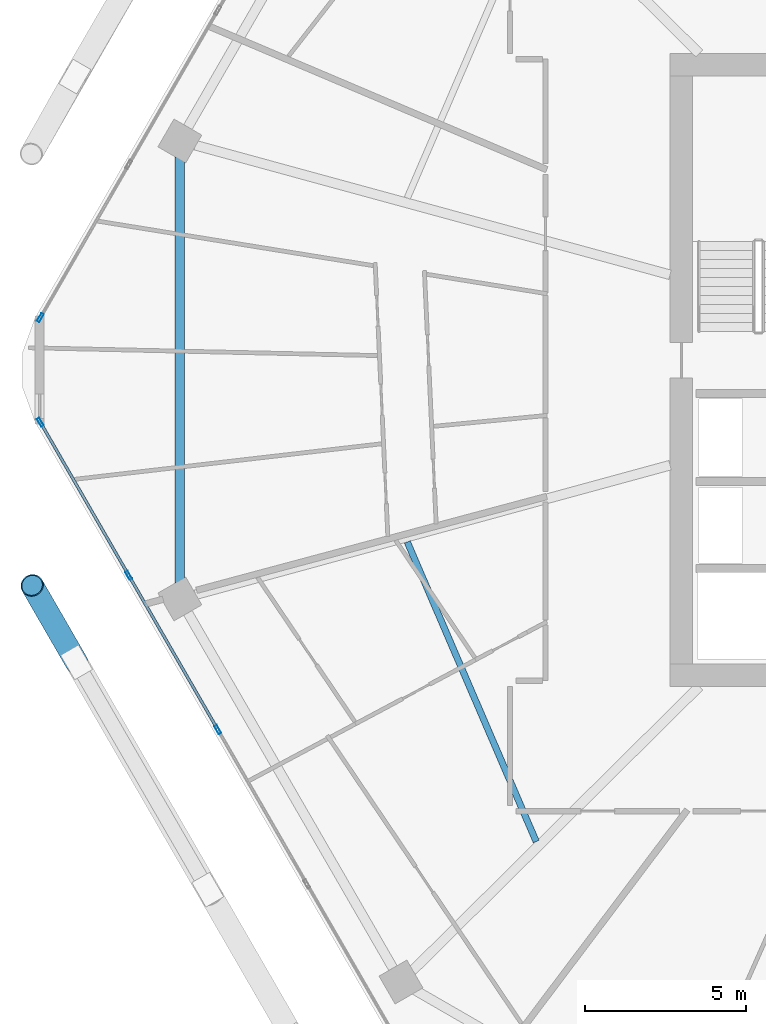
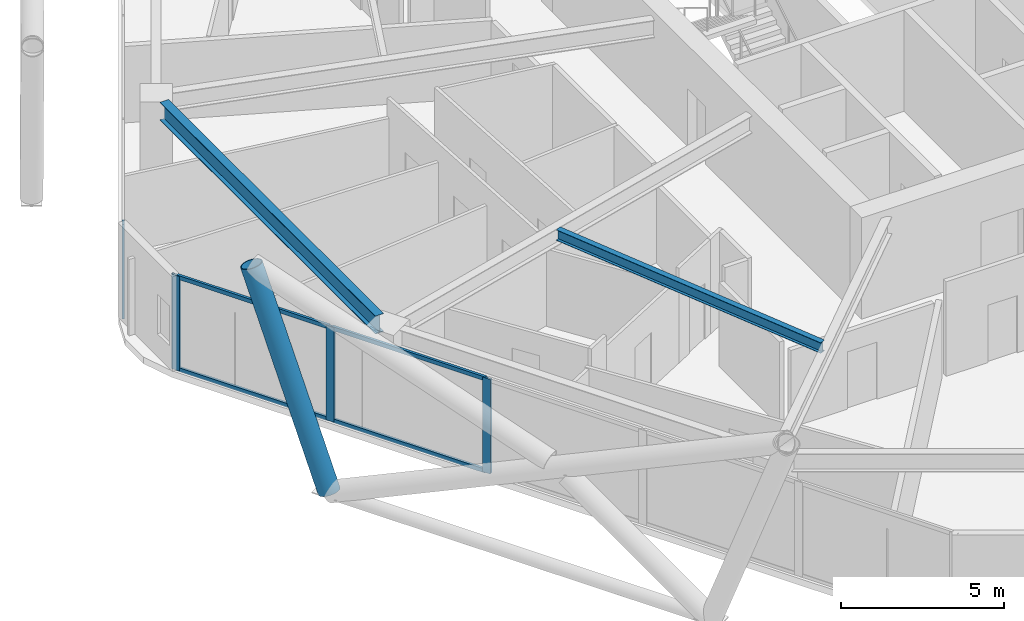
# One storey, part 6 of 29: 9 members, 2 beams, 2 elements without a shape of their own.
"""IFC4 building model written with IfcOpenShell, lengths in metres."""

import ifcopenshell
import ifcopenshell.guid

model = None  # the IFC model being written
_history = None  # IfcOwnerHistory: only IFC2X3 demands one
_inside = {}  # id of a spatial element -> (the spatial element, [elements in it])
_under = {}  # id of a project, library or spatial element -> (it, [spatial elements below it])
_declared = {}  # id of a project -> (the project, [libraries it declares])
_typed = {}  # id of a type object -> (the type object, [elements of that type])
_made_of = {}  # id of a material, layer set ... -> (it, [elements and type objects made of it])


def new_model(schema):
    """Start an empty IFC model of exactly this schema.

    Asked for "IFC4X3", IfcOpenShell would pick the latest addendum, in which some entities
    have other attributes; the version numbers below select the first issue.
    IFC2X3 requires an IfcOwnerHistory on every rooted entity: one is made here for all.
    """
    global model, _history
    if schema == "IFC4X3":
        model = ifcopenshell.file(schema_version=(4, 3, 0, 0))
    else:
        model = ifcopenshell.file(schema=schema)
    _inside.clear()
    _under.clear()
    _declared.clear()
    _typed.clear()
    _made_of.clear()
    _history = None
    if model.schema == "IFC2X3":
        org = make("IfcOrganization", Name="unknown")
        user = make(
            "IfcPersonAndOrganization",
            ThePerson=make("IfcPerson", FamilyName="unknown"),
            TheOrganization=org,
        )
        app = make(
            "IfcApplication",
            ApplicationDeveloper=org,
            Version="unknown",
            ApplicationFullName="unknown",
            ApplicationIdentifier="unknown",
        )
        _history = make(
            "IfcOwnerHistory",
            OwningUser=user,
            OwningApplication=app,
            ChangeAction="ADDED",
            CreationDate=0,
        )
    return model


def make(cls, **values):
    """One entity of the class cls with the attributes given. An attribute that is None is left unset."""
    return model.create_entity(
        cls, **{name: value for name, value in values.items() if value is not None}
    )


def rooted(cls, **values):
    """An entity with a GlobalId (a new one), such as an element, a storey or a relation."""
    return make(cls, GlobalId=ifcopenshell.guid.new(), OwnerHistory=_history, **values)


def si_unit(unit_type, name, prefix=None):
    """IfcSIUnit, for example si_unit("LENGTHUNIT", "METRE", prefix="MILLI")."""
    return make("IfcSIUnit", UnitType=unit_type, Prefix=prefix, Name=name)


def assignment(units):
    """IfcUnitAssignment: the units of a project."""
    return None if units is None else make("IfcUnitAssignment", Units=units)


def point(xyz):
    """IfcCartesianPoint."""
    return None if xyz is None else make("IfcCartesianPoint", Coordinates=xyz)


def direction(xyz):
    """IfcDirection."""
    return None if xyz is None else make("IfcDirection", DirectionRatios=xyz)


def frame(location, z_axis=None, x_axis=None):
    """IfcAxis2Placement3D, a coordinate frame: its origin and axes. An axis left out is left unset."""
    return make(
        "IfcAxis2Placement3D",
        Location=point(location),
        Axis=direction(z_axis),
        RefDirection=direction(x_axis),
    )


def frame_2d(location, x_axis=None):
    """IfcAxis2Placement2D, a coordinate frame in the plane: its origin and x axis."""
    return make(
        "IfcAxis2Placement2D", Location=point(location), RefDirection=direction(x_axis)
    )


def origin():
    """The frame at (0, 0, 0) with its axes left unset."""
    return frame((0.0, 0.0, 0.0))


def origin_2d():
    """The frame at (0, 0) in the plane with its x axis left unset."""
    return frame_2d((0.0, 0.0))


def place(relative_to, where):
    """IfcLocalPlacement: puts the frame where relative to a parent placement (None: the world)."""
    return make(
        "IfcLocalPlacement", PlacementRelTo=relative_to, RelativePlacement=where
    )


def context(
    kind, dimensions, precision=None, world=None, true_north=None, identifier=None
):
    """IfcGeometricRepresentationContext, for example the 3D "Model" context."""
    return make(
        "IfcGeometricRepresentationContext",
        ContextIdentifier=identifier,
        ContextType=kind,
        CoordinateSpaceDimension=dimensions,
        Precision=precision,
        WorldCoordinateSystem=world,
        TrueNorth=true_north,
    )


def subcontext(parent, identifier, kind, view, scale=None):
    """IfcGeometricRepresentationSubContext, for example "Body" below "Model"."""
    return make(
        "IfcGeometricRepresentationSubContext",
        ContextIdentifier=identifier,
        ContextType=kind,
        ParentContext=parent,
        TargetScale=scale,
        TargetView=view,
    )


def project(units=None, contexts=None):
    """IfcProject with its units and contexts."""
    return rooted(
        "IfcProject",
        Name="project",
        RepresentationContexts=contexts,
        UnitsInContext=assignment(units),
    )


def spatial(cls, under=None, at=None, **own):
    """A site, building, storey or space (cls), placed at a placement, below another one or the project."""
    s = rooted(cls, ObjectPlacement=at, **own)
    if under is not None:
        _under.setdefault(under.id(), (under, []))[1].append(s)
    return s


def profile(cls, at=None, kind="AREA", **sizes):
    """A parametric profile (cls). Its sizes go by their IFC names, for example OverallWidth=200.0."""
    return make(cls, ProfileType=kind, Position=at, **sizes)


def hollow_rectangle(**sizes):
    """IfcRectangleHollowProfileDef."""
    return profile("IfcRectangleHollowProfileDef", **sizes)


def hollow_circle(**sizes):
    """IfcCircleHollowProfileDef."""
    return profile("IfcCircleHollowProfileDef", **sizes)


def i_section(**sizes):
    """IfcIShapeProfileDef."""
    return profile("IfcIShapeProfileDef", **sizes)


def extrude(swept, where, along, depth):
    """IfcExtrudedAreaSolid: the profile swept, set in the frame where, extruded along a direction by depth."""
    return make(
        "IfcExtrudedAreaSolid",
        SweptArea=swept,
        Position=where,
        ExtrudedDirection=direction(along),
        Depth=depth,
    )


def shape(context_of_items, identifier, shape_type, items):
    """IfcShapeRepresentation: the items that make up one representation, for example the "Body"."""
    return make(
        "IfcShapeRepresentation",
        ContextOfItems=context_of_items,
        RepresentationIdentifier=identifier,
        RepresentationType=shape_type,
        Items=items,
    )


def material(Name=None, Category=None):
    """IfcMaterial."""
    return make("IfcMaterial", Name=Name, Category=Category)


def material_profile(
    of_material, cross_section, Name=None, Category=None, Priority=None
):
    """IfcMaterialProfile: a cross section and its material."""
    return make(
        "IfcMaterialProfile",
        Name=Name,
        Material=of_material,
        Profile=cross_section,
        Priority=Priority,
        Category=Category,
    )


def profile_set(profiles, Name=None, composite=None):
    """IfcMaterialProfileSet."""
    return make(
        "IfcMaterialProfileSet",
        Name=Name,
        MaterialProfiles=profiles,
        CompositeProfile=composite,
    )


def made_of(thing, what):
    """Note that an element or type object is made of a material, layer set ...; save() writes the relation."""
    if what is not None:
        _made_of.setdefault(what.id(), (what, []))[1].append(thing)
    return thing


def type_object(cls, material=None, **own):
    """A type object (cls), such as IfcWallType, which elements share."""
    return made_of(rooted(cls, **own), material)


def element(
    cls,
    number,
    at=None,
    inside=None,
    cuts=None,
    type_object=None,
    material=None,
    context=None,
    identifier="Body",
    shape_type=None,
    held_by="IfcProductDefinitionShape",
    body=None,
    shapes=None,
    **own,
):
    """One element of the class cls, such as IfcWall. Its Tag is "e" and its number.

    at: its placement. inside: the storey or other place that contains it. cuts: it is an
    opening in that element (IfcRelVoidsElement). A single representation is given by context,
    identifier, shape_type and body (its items); several are given by shapes. held_by: the class
    of the entity that holds the representations. save() writes the other relations.
    """
    e = rooted(cls, Tag="e%d" % number, ObjectPlacement=at, **own)
    if body is not None:
        shapes = [shape(context, identifier, shape_type, body)]
    if shapes is not None:
        e.Representation = make(held_by, Representations=shapes)
    if inside is not None:
        _inside.setdefault(inside.id(), (inside, []))[1].append(e)
    if cuts is not None:
        rooted(
            "IfcRelVoidsElement", RelatingBuildingElement=cuts, RelatedOpeningElement=e
        )
    if type_object is not None:
        _typed.setdefault(type_object.id(), (type_object, []))[1].append(e)
    return made_of(e, material)


def aggregate(whole, parts):
    """IfcRelAggregates: a whole, such as a stair, and the parts it consists of."""
    return rooted("IfcRelAggregates", RelatingObject=whole, RelatedObjects=parts)


def save(model, path):
    """Write the relations noted so far, then the file.

    IfcRelAggregates (storeys below a building ...), IfcRelContainedInSpatialStructure (elements
    in a storey), IfcRelDefinesByType, IfcRelAssociatesMaterial and IfcRelDeclares: one each for
    every whole, place, type object, material and project.
    """
    for whole, parts in _under.values():
        aggregate(whole, parts)
    for where, things in _inside.values():
        rooted(
            "IfcRelContainedInSpatialStructure",
            RelatedElements=things,
            RelatingStructure=where,
        )
    for kind, things in _typed.values():
        rooted("IfcRelDefinesByType", RelatedObjects=things, RelatingType=kind)
    for what, things in _made_of.values():
        rooted("IfcRelAssociatesMaterial", RelatedObjects=things, RelatingMaterial=what)
    for by, libraries in _declared.values():
        rooted("IfcRelDeclares", RelatingContext=by, RelatedDefinitions=libraries)
    model.write(path)


model = new_model("IFC4")

# Units and contexts
model_context = context("Model", 3, precision=1e-05, world=origin(), true_north=direction((0.0, 1.0)))
body_context = subcontext(model_context, "Body", "Model", "MODEL_VIEW")
ifc_project = project(units=[si_unit("LENGTHUNIT", "METRE"), si_unit("AREAUNIT", "SQUARE_METRE"), si_unit("VOLUMEUNIT", "CUBIC_METRE"), si_unit("PLANEANGLEUNIT", "RADIAN"), si_unit("MASSUNIT", "GRAM", prefix="KILO")], contexts=[model_context])

# Site, building, storey
site_placement = place(None, origin())
site = spatial("IfcSite", under=ifc_project, at=site_placement, CompositionType="ELEMENT")
building_placement = place(site_placement, origin())
building = spatial("IfcBuilding", under=site, at=building_placement, Name="Zuhravey Tower", CompositionType="ELEMENT")
storey_placement = place(building_placement, frame((0.0, 0.0, 184.60009765625)))
storey = spatial("IfcBuildingStorey", under=building, at=storey_placement, Name="L46", CompositionType="ELEMENT", Elevation=184.60009765625)

# Curtain wall, members
ifc_material_1 = material(Name="Thermally broken anodised aluminium", Category="aluminium")
curtain_wall_type = type_object("IfcCurtainWallType", Name="Zone 1-2 Residential Curtain Wall CW3", PredefinedType="NOTDEFINED", material=ifc_material_1)
curtain_wall_1_placement = place(storey_placement, origin())
curtain_wall_1 = element("IfcCurtainWall", 1, at=curtain_wall_1_placement, inside=storey, type_object=curtain_wall_type, Name="L46 CW3 CW-L46-F4-1", PredefinedType="NOTDEFINED")
ifc_material_2 = material(Name="Anodised aluminium", Category="aluminium")
ifc_material_profile_1 = material_profile(ifc_material_2, hollow_rectangle(XDim=0.090087890625, YDim=0.284912109375, WallThickness=0.0048828125, at=origin_2d()), Name="ALU-RHS-90x285x5")
ifc_profile_set_1 = profile_set([ifc_material_profile_1], Name="Anodised aluminium")
member_type_1 = type_object("IfcMemberType", Name="Curtain-Wall Mullion 90x180", PredefinedType="MULLION", material=ifc_profile_set_1)
member_1_placement = place(storey_placement, frame((11.07275390625, 20.809326171875, 0.0), z_axis=(0.0, 0.0, 1.0), x_axis=(-0.866025138215, -0.500000459979, 0.0)))
member_1 = element("IfcMember", 2, at=member_1_placement, type_object=member_type_1, Name="CW3 mullion 4", PredefinedType="MULLION", context=body_context, shape_type="SweptSolid", body=[
    extrude(hollow_rectangle(XDim=0.090087890625, YDim=0.284912109375, WallThickness=0.0048828125, at=origin_2d()), origin(), (0.0, 0.0, 1.0), 3.5498046875),
])
member_2_placement = place(storey_placement, frame((8.300537109375, 25.61083984375, 0.0), z_axis=(0.0, 0.0, 1.0), x_axis=(-0.866025138215, -0.500000459979, 0.0)))
member_2 = element("IfcMember", 3, at=member_2_placement, type_object=member_type_1, Name="CW3 mullion 5", PredefinedType="MULLION", context=body_context, shape_type="SweptSolid", body=[
    extrude(hollow_rectangle(XDim=0.090087890625, YDim=0.284912109375, WallThickness=0.0048828125, at=origin_2d()), origin(), (0.0, 0.0, 1.0), 3.5498046875),
])
member_3_placement = place(storey_placement, frame((5.55078125, 30.37353515625, 0.0), z_axis=(0.0, 0.0, 1.0), x_axis=(-0.866025138215, -0.500000459979, 0.0)))
member_3 = element("IfcMember", 4, at=member_3_placement, type_object=member_type_1, Name="CW3 mullion 6", PredefinedType="MULLION", context=body_context, shape_type="SweptSolid", body=[
    extrude(hollow_rectangle(XDim=0.090087890625, YDim=0.284912109375, WallThickness=0.0048828125, at=origin_2d()), origin(), (0.0, 0.0, 1.0), 3.5498046875),
])

# Curtain wall, member
curtain_wall_2_placement = place(storey_placement, origin())
curtain_wall_2 = element("IfcCurtainWall", 5, at=curtain_wall_2_placement, inside=storey, type_object=curtain_wall_type, Name="L46 CW3 CW-L46-F3-1", PredefinedType="NOTDEFINED")
member_4_placement = place(storey_placement, frame((5.55078125, 33.62646484375, 0.0), z_axis=(0.0, 0.0, 1.0), x_axis=(-0.866025138215, 0.500000459979, 0.0)))
member_4 = element("IfcMember", 6, at=member_4_placement, type_object=member_type_1, Name="CW3 mullion 1", PredefinedType="MULLION", context=body_context, shape_type="SweptSolid", body=[
    extrude(hollow_rectangle(XDim=0.090087890625, YDim=0.284912109375, WallThickness=0.0048828125, at=origin_2d()), origin(), (0.0, 0.0, 1.0), 3.5498046875),
])
aggregate(curtain_wall_2, [member_4])

# Member
ifc_material_profile_2 = material_profile(ifc_material_2, hollow_rectangle(XDim=0.090087890625, YDim=0.14990234375, WallThickness=0.0048828125, at=origin_2d()), Name="ALU-RHS-90x150x5")
ifc_profile_set_2 = profile_set([ifc_material_profile_2], Name="Anodised aluminium")
member_type_2 = type_object("IfcMemberType", Name="Curtain-Wall Transom 90x150", PredefinedType="USERDEFINED", material=ifc_profile_set_2)
member_5_placement = place(storey_placement, frame((11.050048828125, 20.84814453125, 0.044921875), z_axis=(-0.49996138257, 0.86604769842, 0.0), x_axis=(-0.86604769842, -0.49996138257, 0.0)))
member_5 = element("IfcMember", 7, at=member_5_placement, type_object=member_type_2, Name="CW3 transom 4.1", ObjectType="TRANSOM", PredefinedType="USERDEFINED", context=body_context, shape_type="SweptSolid", body=[
    extrude(hollow_rectangle(XDim=0.090087890625, YDim=0.14990234375, WallThickness=0.0048828125, at=origin_2d()), origin(), (0.0, 0.0, 1.0), 5.45458984375),
])

member_6_placement = place(storey_placement, frame((11.050048828125, 20.84814453125, 3.5048828125), z_axis=(-0.49996138257, 0.86604769842, 0.0), x_axis=(-0.86604769842, -0.49996138257, 0.0)))
member_6 = element("IfcMember", 8, at=member_6_placement, type_object=member_type_2, Name="CW3 transom 4.2", ObjectType="TRANSOM", PredefinedType="USERDEFINED", context=body_context, shape_type="SweptSolid", body=[
    extrude(hollow_rectangle(XDim=0.090087890625, YDim=0.14990234375, WallThickness=0.0048828125, at=origin_2d()), origin(), (0.0, 0.0, 1.0), 5.45458984375),
])

member_7_placement = place(storey_placement, frame((8.27783203125, 25.64990234375, 0.044921875), z_axis=(-0.499993332629, 0.866029253159, 0.0), x_axis=(-0.866029253159, -0.499993332629, 0.0)))
member_7 = element("IfcMember", 9, at=member_7_placement, type_object=member_type_2, Name="CW3 transom 5.1", ObjectType="TRANSOM", PredefinedType="USERDEFINED", context=body_context, shape_type="SweptSolid", body=[
    extrude(hollow_rectangle(XDim=0.090087890625, YDim=0.14990234375, WallThickness=0.0048828125, at=origin_2d()), origin(), (0.0, 0.0, 1.0), 5.4091796875),
])

member_8_placement = place(storey_placement, frame((8.27783203125, 25.64990234375, 3.5048828125), z_axis=(-0.499993332629, 0.866029253159, 0.0), x_axis=(-0.866029253159, -0.499993332629, 0.0)))
member_8 = element("IfcMember", 10, at=member_8_placement, type_object=member_type_2, Name="CW3 transom 5.2", ObjectType="TRANSOM", PredefinedType="USERDEFINED", context=body_context, shape_type="SweptSolid", body=[
    extrude(hollow_rectangle(XDim=0.090087890625, YDim=0.14990234375, WallThickness=0.0048828125, at=origin_2d()), origin(), (0.0, 0.0, 1.0), 5.4091796875),
])

aggregate(curtain_wall_1, [member_1, member_2, member_3, member_5, member_6, member_7, member_8])

ifc_material_3 = material(Name="Steel SM460", Category="steel")
ifc_material_profile_3 = material_profile(ifc_material_3, hollow_circle(Radius=0.355712890625, WallThickness=0.031982421875, at=origin_2d()), Name="CHS-711.2x32")
ifc_profile_set_3 = profile_set([ifc_material_profile_3], Name="Steel SM460")
member_type_3 = type_object("IfcMemberType", Name="Exoskeleton Zone 2 Diagrid CHS711x32", PredefinedType="BRACE", material=ifc_profile_set_3)
member_9_placement = place(storey_placement, frame((6.67431640625, 22.9072265625, -0.444091796875), z_axis=(-0.171428917165, 0.296929081792, 0.939385568734), x_axis=(-0.866029404905, -0.499993069792, 0.0)))
element("IfcMember", 11, at=member_9_placement, inside=storey, type_object=member_type_3, Name="L46 Face 4 Diagrid Brace 1", PredefinedType="BRACE", context=body_context, shape_type="SweptSolid", body=[
    extrude(hollow_circle(Radius=0.355712890625, WallThickness=0.031982421875, at=origin_2d()), origin(), (0.0, 0.0, 1.0), 8.0478515625),
])

# Beams
ifc_material_4 = material(Name="Steel SM355", Category="steel")
ifc_material_profile_4 = material_profile(ifc_material_4, i_section(OverallWidth=0.300048828125, OverallDepth=0.679931640625, WebThickness=0.012939453125, FlangeThickness=0.02197265625, at=origin_2d()), Name="H-680x300x13x22")
ifc_profile_set_4 = profile_set([ifc_material_profile_4], Name="Steel SM355")
beam_type_1 = type_object("IfcBeamType", Name="Perimeter Ring Beam H680x300", PredefinedType="BEAM", material=ifc_profile_set_4)
beam_1_placement = place(storey_placement, frame((9.892333984375, 38.62353515625, 3.2099609375), z_axis=(0.0, -1.0, 0.0), x_axis=(1.0, 0.0, 0.0)))
element("IfcBeam", 12, at=beam_1_placement, inside=storey, type_object=beam_type_1, Name="L46 PB2 BM-L46-PB-06", PredefinedType="BEAM", context=body_context, shape_type="SweptSolid", body=[
    extrude(i_section(OverallWidth=0.300048828125, OverallDepth=0.679931640625, WebThickness=0.012939453125, FlangeThickness=0.02197265625, at=origin_2d()), origin(), (0.0, 0.0, 1.0), 13.2470703125),
])
ifc_material_profile_5 = material_profile(ifc_material_4, i_section(OverallWidth=0.199951171875, OverallDepth=0.39990234375, WebThickness=0.008056640625, FlangeThickness=0.012939453125, at=origin_2d()), Name="H-400x200x8x13")
ifc_profile_set_5 = profile_set([ifc_material_profile_5], Name="Steel SM355")
beam_type_2 = type_object("IfcBeamType", Name="Secondary Floor Joist H400x200", PredefinedType="JOIST", material=ifc_profile_set_5)
beam_2_placement = place(storey_placement, frame((16.970458984375, 26.6474609375, 3.349853515625), z_axis=(0.395265853487, -0.918566766799, 0.0), x_axis=(0.918566766799, 0.395265853487, 0.0)))
element("IfcBeam", 13, at=beam_2_placement, inside=storey, type_object=beam_type_2, Name="L46 SJ2 BM-L46-SJ-07-1", PredefinedType="JOIST", context=body_context, shape_type="SweptSolid", body=[
    extrude(i_section(OverallWidth=0.199951171875, OverallDepth=0.39990234375, WebThickness=0.008056640625, FlangeThickness=0.012939453125, at=origin_2d()), origin(), (0.0, 0.0, 1.0), 10.150146484375),
])

save(model, "model.ifc")
